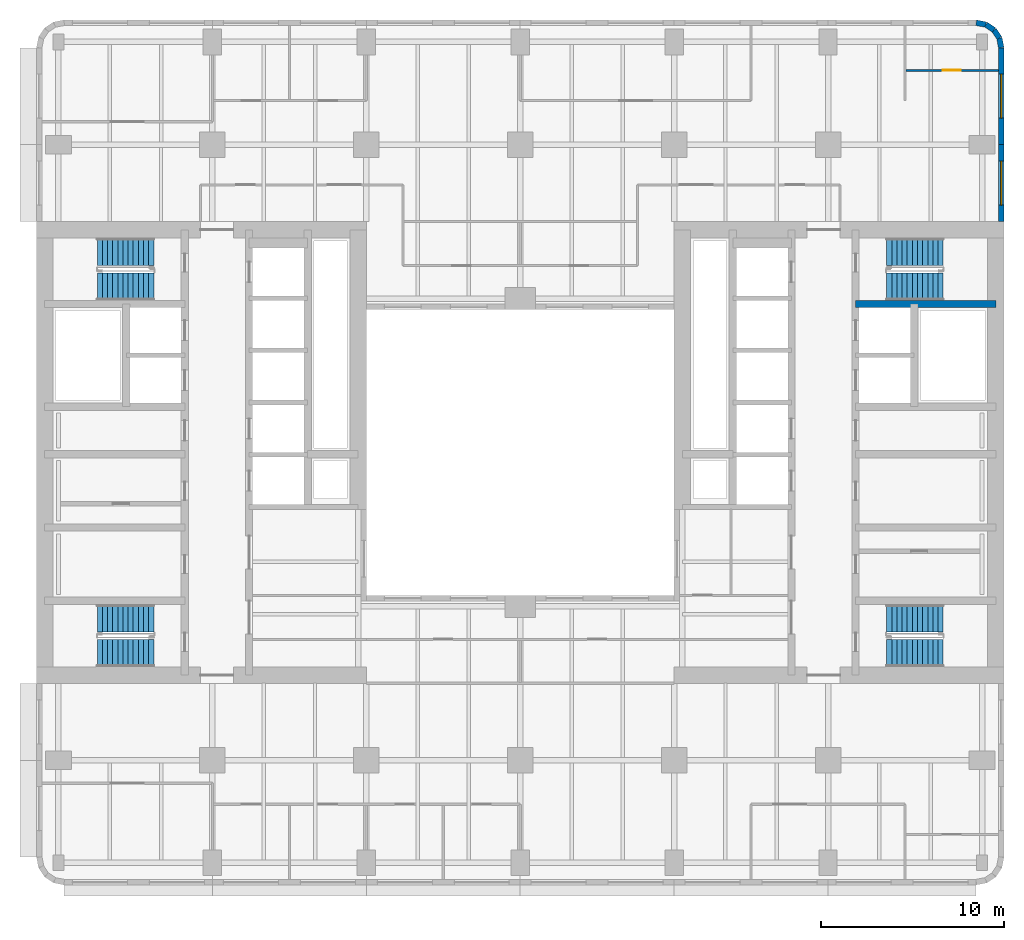
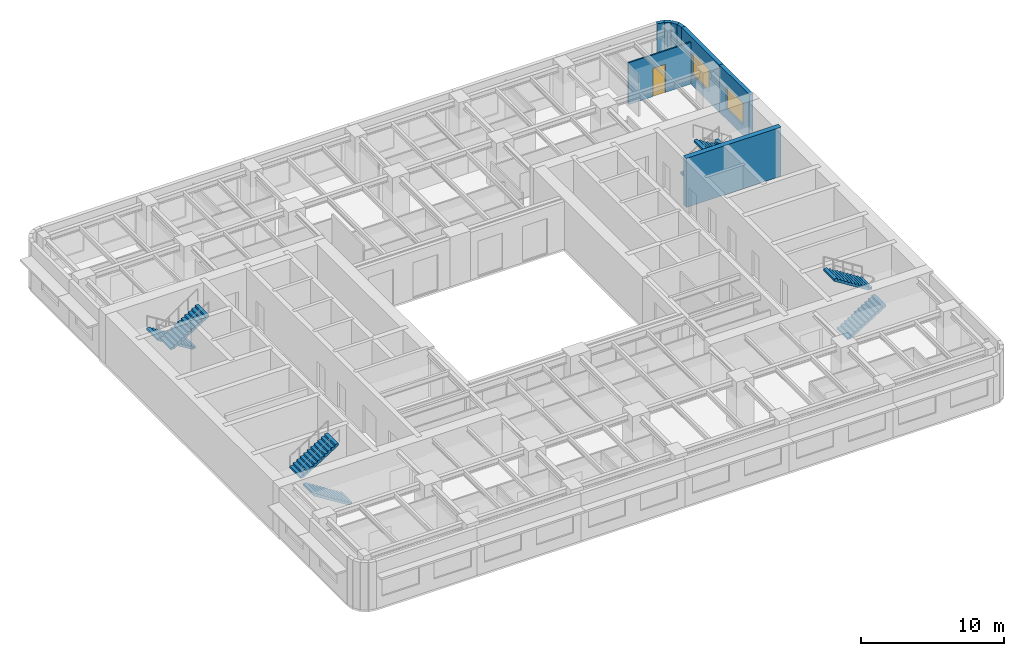
# One storey, part 8 of 11: 8 stair flights, 8 walls, 2 windows, 1 door, 3 openings, 4 elements without a shape of their own.
"""IFC4 building model written with IfcOpenShell, lengths in metres."""

from ifc_helpers import new_model, si_unit, direction, frame, frame_2d, origin, place, context, subcontext, project, spatial, polyline, rectangle, outline, extrude, material, layer, layer_set, type_object, element, fill, aggregate, save


model = new_model("IFC4")

# Units and contexts
model_context = context("Model", 3, precision=1e-05, world=origin(), true_north=direction((0.0, 1.0)))
body_context = subcontext(model_context, "Body", "Model", "MODEL_VIEW")
ifc_project = project(units=[si_unit("LENGTHUNIT", "METRE"), si_unit("AREAUNIT", "SQUARE_METRE"), si_unit("VOLUMEUNIT", "CUBIC_METRE"), si_unit("PLANEANGLEUNIT", "RADIAN"), si_unit("MASSUNIT", "GRAM", prefix="KILO")], contexts=[model_context])

# Site, building, storey
site_placement = place(None, origin())
site = spatial("IfcSite", under=ifc_project, at=site_placement, CompositionType="ELEMENT")
building_placement = place(site_placement, origin())
building = spatial("IfcBuilding", under=site, at=building_placement, Name="Claustro Exchange Tower", CompositionType="ELEMENT")
storey_placement = place(building_placement, frame((0.0, 0.0, 113.39990234375)))
storey = spatial("IfcBuildingStorey", under=building, at=storey_placement, Name="L25", CompositionType="ELEMENT", Elevation=113.39990234375)

# Wall, opening, door
ifc_material_1 = material(Name="Laminated glass in aluminium frame", Category="aluminium")
ifc_layer_1 = layer(ifc_material_1, 0.1201171875)
ifc_layer_set_1 = layer_set([ifc_layer_1], Name="Laminated glass in aluminium frame")
wall_type_1 = type_object("IfcWallType", Name="P2 120 glazed partition", PredefinedType="PARTITIONING", material=ifc_layer_set_1)
wall_1_placement = place(storey_placement, frame((46.258056640625, 46.050048828125, 0.0), z_axis=(0.0, 0.0, 1.0), x_axis=(1.0, 0.0, 0.0)))
wall_1 = element("IfcWall", 1, at=wall_1_placement, inside=storey, type_object=wall_type_1, Name="Partition P2 L25", PredefinedType="PARTITIONING", context=body_context, shape_type="SweptSolid", body=[
    extrude(rectangle(XDim=5.0439453125, YDim=0.1201171875, at=frame_2d((2.52197265625, 0.0))), origin(), (0.0, 0.0, 1.0), 3.56005859375),
])
opening_1_placement = place(wall_1_placement, frame((1.991943359375, 0.0, 0.0)))
opening_1 = element("IfcOpeningElement", 2, at=opening_1_placement, cuts=wall_1, Name="Opening D7", PredefinedType="OPENING", context=body_context, shape_type="SweptSolid", body=[
    extrude(rectangle(XDim=1.0, YDim=2.39990234375, at=frame_2d((0.5, 1.199951171875))), frame((0.0, 0.070068359375, 0.0), z_axis=(0.0, -1.0, 0.0), x_axis=(1.0, 0.0, 0.0)), (0.0, 0.0, 1.0), 0.14013671875),
])
ifc_material_2 = material(Name="Glass door in aluminium frame", Category="aluminium")
door_type = type_object("IfcDoorType", Name="D7 1000 x 2400 glazed door", OperationType="SINGLE_SWING_LEFT", PredefinedType="DOOR", material=ifc_material_2)
door_placement = place(opening_1_placement, origin())
door = element("IfcDoor", 3, at=door_placement, inside=storey, type_object=door_type, Name="Door D7 L25", OperationType="SINGLE_SWING_LEFT", OverallHeight=2.39990234375, OverallWidth=1.0, PredefinedType="DOOR", context=body_context, shape_type="SweptSolid", body=[
    extrude(rectangle(XDim=1.0, YDim=2.39990234375, at=frame_2d((0.5, 1.199951171875))), frame((0.0, 0.02490234375, 0.0), z_axis=(0.0, -1.0, 0.0), x_axis=(1.0, 0.0, 0.0)), (0.0, 0.0, 1.0), 0.050048828125),
])
fill(opening_1, door)

# Walls
ifc_material_3 = material(Name="Concrete HA-40 (C40/50), precast, white cement, acid-etched", Category="concrete")
ifc_layer_2 = layer(ifc_material_3, 0.300048828125)
ifc_layer_set_2 = layer_set([ifc_layer_2], Name="Concrete HA-40 (C40/50), precast, white cement, acid-etched")
wall_type_2 = type_object("IfcWallType", Name="PC1 300 precast concrete pier panel", PredefinedType="SOLIDWALL", material=ifc_layer_set_2)
wall_2_placement = place(storey_placement, frame((50.085205078125, 48.64990234375, 0.0), z_axis=(0.0, 0.0, 1.0), x_axis=(0.980788534345, -0.195073962632, 0.0)))
element("IfcWall", 4, at=wall_2_placement, inside=storey, type_object=wall_type_2, Name="Precast pier panel PC1 L25", PredefinedType="SOLIDWALL", context=body_context, shape_type="SweptSolid", body=[
    extrude(rectangle(XDim=0.540771484375, YDim=0.300048828125, at=frame_2d((0.2705078125, 0.0))), origin(), (0.0, 0.0, 1.0), 4.050048828125),
])
wall_3_placement = place(storey_placement, frame((50.615478515625, 48.54443359375, 0.0), z_axis=(0.0, 0.0, 1.0), x_axis=(0.831692711774, -0.555236195849, 0.0)))
element("IfcWall", 5, at=wall_3_placement, inside=storey, type_object=wall_type_2, Name="Precast pier panel PC1 L25", PredefinedType="SOLIDWALL", context=body_context, shape_type="SweptSolid", body=[
    extrude(rectangle(XDim=0.525390625, YDim=0.300048828125, at=frame_2d((0.2626953125, 0.0))), origin(), (0.0, 0.0, 1.0), 4.050048828125),
])
wall_4_placement = place(storey_placement, frame((51.052490234375, 48.252685546875, 0.0), z_axis=(0.0, 0.0, 1.0), x_axis=(0.55534295404, -0.831621430339, 0.0)))
element("IfcWall", 6, at=wall_4_placement, inside=storey, type_object=wall_type_2, Name="Precast pier panel PC1 L25", PredefinedType="SOLIDWALL", context=body_context, shape_type="SweptSolid", body=[
    extrude(rectangle(XDim=0.52587890625, YDim=0.300048828125, at=frame_2d((0.262939453125, 0.0))), origin(), (0.0, 0.0, 1.0), 4.050048828125),
])
wall_5_placement = place(storey_placement, frame((51.344482421875, 47.8154296875, 0.0), z_axis=(0.0, 0.0, 1.0), x_axis=(0.195073962632, -0.980788534345, 0.0)))
element("IfcWall", 7, at=wall_5_placement, inside=storey, type_object=wall_type_2, Name="Precast pier panel PC1 L25", PredefinedType="SOLIDWALL", context=body_context, shape_type="SweptSolid", body=[
    extrude(rectangle(XDim=0.540771484375, YDim=0.300048828125, at=frame_2d((0.2705078125, 0.0))), origin(), (0.0, 0.0, 1.0), 4.050048828125),
])

# Wall, opening, window
wall_6_placement = place(storey_placement, frame((51.449951171875, 47.28515625, 0.0), z_axis=(0.0, 0.0, 1.0), x_axis=(0.0, -1.0, 0.0)))
wall_6 = element("IfcWall", 8, at=wall_6_placement, inside=storey, type_object=wall_type_2, Name="Precast pier panel PC1 L25", PredefinedType="SOLIDWALL", context=body_context, shape_type="SweptSolid", body=[
    extrude(rectangle(XDim=5.28515625, YDim=0.300048828125, at=frame_2d((2.642578125, 0.0))), origin(), (0.0, 0.0, 1.0), 4.050048828125),
])
opening_2_placement = place(wall_6_placement, frame((1.442626953125, 0.0, 0.89990234375)))
opening_2 = element("IfcOpeningElement", 9, at=opening_2_placement, cuts=wall_6, Name="Opening W2", PredefinedType="OPENING", context=body_context, shape_type="SweptSolid", body=[
    extrude(rectangle(XDim=2.39990234375, YDim=1.89990234375, at=frame_2d((1.199951171875, 0.949951171875))), frame((0.0, 0.159912109375, 0.0), z_axis=(0.0, -1.0, 0.0), x_axis=(1.0, 0.0, 0.0)), (0.0, 0.0, 1.0), 0.320068359375),
])
ifc_material_4 = material(Name="Aluminium frame, clear double glazing", Category="aluminium")
window_type = type_object("IfcWindowType", Name="W2 2400 x 1900 window", PartitioningType="SINGLE_PANEL", PredefinedType="WINDOW", material=ifc_material_4)
window_1_placement = place(opening_2_placement, origin())
window_1 = element("IfcWindow", 10, at=window_1_placement, inside=storey, type_object=window_type, Name="Window W2 L25", OverallHeight=1.89990234375, OverallWidth=2.39990234375, PartitioningType="SINGLE_PANEL", PredefinedType="WINDOW", context=body_context, shape_type="SweptSolid", body=[
    extrude(rectangle(XDim=2.39990234375, YDim=1.89990234375, at=frame_2d((1.199951171875, 0.949951171875))), frame((0.0, 0.030029296875, 0.0), z_axis=(0.0, -1.0, 0.0), x_axis=(1.0, 0.0, 0.0)), (0.0, 0.0, 1.0), 0.06005859375),
])
fill(opening_2, window_1)

wall_7_placement = place(storey_placement, frame((51.449951171875, 42.0, 0.0), z_axis=(0.0, 0.0, 1.0), x_axis=(0.0, -1.0, 0.0)))
wall_7 = element("IfcWall", 11, at=wall_7_placement, inside=storey, type_object=wall_type_2, Name="Precast pier panel PC1 L25", PredefinedType="SOLIDWALL", context=body_context, shape_type="SweptSolid", body=[
    extrude(rectangle(XDim=4.199951171875, YDim=0.300048828125, at=frame_2d((2.10009765625, 0.0))), origin(), (0.0, 0.0, 1.0), 4.050048828125),
])
opening_3_placement = place(wall_7_placement, frame((0.89990234375, 0.0, 0.89990234375)))
opening_3 = element("IfcOpeningElement", 12, at=opening_3_placement, cuts=wall_7, Name="Opening W2", PredefinedType="OPENING", context=body_context, shape_type="SweptSolid", body=[
    extrude(rectangle(XDim=2.39990234375, YDim=1.89990234375, at=frame_2d((1.199951171875, 0.949951171875))), frame((0.0, 0.159912109375, 0.0), z_axis=(0.0, -1.0, 0.0), x_axis=(1.0, 0.0, 0.0)), (0.0, 0.0, 1.0), 0.320068359375),
])
window_2_placement = place(opening_3_placement, origin())
window_2 = element("IfcWindow", 13, at=window_2_placement, inside=storey, type_object=window_type, Name="Window W2 L25", OverallHeight=1.89990234375, OverallWidth=2.39990234375, PartitioningType="SINGLE_PANEL", PredefinedType="WINDOW", context=body_context, shape_type="SweptSolid", body=[
    extrude(rectangle(XDim=2.39990234375, YDim=1.89990234375, at=frame_2d((1.199951171875, 0.949951171875))), frame((0.0, 0.030029296875, 0.0), z_axis=(0.0, -1.0, 0.0), x_axis=(1.0, 0.0, 0.0)), (0.0, 0.0, 1.0), 0.06005859375),
])
fill(opening_3, window_2)

# Wall
ifc_material_5 = material(Name="Concrete HA-50 (C50/60)", Category="concrete")
ifc_layer_3 = layer(ifc_material_5, 0.39990234375)
ifc_layer_set_3 = layer_set([ifc_layer_3], Name="Concrete HA-50 (C50/60)")
wall_type_3 = type_object("IfcWallType", Name="SW4 400 internal core wall", PredefinedType="SHEAR", material=ifc_layer_set_3)
wall_8_placement = place(storey_placement, frame((51.14990234375, 33.300048828125, 0.0), z_axis=(0.0, 0.0, 1.0), x_axis=(-1.0, 0.0, 0.0)))
element("IfcWall", 14, at=wall_8_placement, inside=storey, type_object=wall_type_3, Name="Internal core wall SW4 E core L25", PredefinedType="SHEAR", context=body_context, shape_type="SweptSolid", body=[
    extrude(rectangle(XDim=7.64990234375, YDim=0.39990234375, at=frame_2d((3.824951171875, 0.0))), origin(), (0.0, 0.0, 1.0), 4.2001953125),
])

# Stair, stair flights
ifc_material_6 = material(Name="Concrete HA-30 (C30/37), precast", Category="concrete")
stair_type = type_object("IfcStairType", Name="ST1 half-turn stair, 24 risers of 175", PredefinedType="HALF_TURN_STAIR", material=ifc_material_6)
stair_1_placement = place(storey_placement, origin())
stair_1 = element("IfcStair", 15, at=stair_1_placement, inside=storey, type_object=stair_type, Name="Stair STWA L25", PredefinedType="HALF_TURN_STAIR")
ifc_material_7 = material(Name="Concrete HA-30 (C30/37), precast", Category="concrete")
stair_flight_type = type_object("IfcStairFlightType", Name="SF12A straight flight, 12 risers of 175, 1500 wide", PredefinedType="STRAIGHT", material=ifc_material_7)
stair_flight_1_placement = place(storey_placement, frame((5.199951171875, 14.25, 0.0), z_axis=(0.0, 0.0, 1.0), x_axis=(-1.0, 0.0, 0.0)))
stair_flight_1 = element("IfcStairFlight", 16, at=stair_flight_1_placement, type_object=stair_flight_type, Name="STWA flight 1", NumberOfRisers=12, NumberOfTreads=11, PredefinedType="STRAIGHT", RiserHeight=0.175, TreadLength=0.28, context=body_context, shape_type="SweptSolid", body=[
    extrude(outline(polyline([(0.0, 0.0), (0.0, 0.175048828125), (0.280029296875, 0.175048828125), (0.280029296875, 0.35009765625), (0.56005859375, 0.35009765625), (0.56005859375, 0.52490234375), (0.840087890625, 0.52490234375), (0.840087890625, 0.699951171875), (1.1201171875, 0.699951171875), (1.1201171875, 0.875), (1.39990234375, 0.875), (1.39990234375, 1.050048828125), (1.679931640625, 1.050048828125), (1.679931640625, 1.22509765625), (1.9599609375, 1.22509765625), (1.9599609375, 1.39990234375), (2.239990234375, 1.39990234375), (2.239990234375, 1.574951171875), (2.52001953125, 1.574951171875), (2.52001953125, 1.75), (2.800048828125, 1.75), (2.800048828125, 1.925048828125), (3.080078125, 1.925048828125), (3.080078125, 2.10009765625), (3.080078125, 1.748291015625), (0.28271484375, 0.0), (0.0, 0.0)])), frame((0.0, 0.75, 0.0), z_axis=(0.0, -1.0, 0.0), x_axis=(1.0, 0.0, 0.0)), (0.0, 0.0, 1.0), 1.5),
])
stair_flight_2_placement = place(storey_placement, frame((2.1201171875, 16.14990234375, 2.10009765625), z_axis=(0.0, 0.0, 1.0), x_axis=(1.0, 0.0, 0.0)))
stair_flight_2 = element("IfcStairFlight", 17, at=stair_flight_2_placement, type_object=stair_flight_type, Name="STWA flight 2", NumberOfRisers=12, NumberOfTreads=11, PredefinedType="STRAIGHT", RiserHeight=0.175, TreadLength=0.28, context=body_context, shape_type="SweptSolid", body=[
    extrude(outline(polyline([(0.0, 0.0), (0.0, 0.175048828125), (0.280029296875, 0.175048828125), (0.280029296875, 0.35009765625), (0.56005859375, 0.35009765625), (0.56005859375, 0.52490234375), (0.840087890625, 0.52490234375), (0.840087890625, 0.699951171875), (1.1201171875, 0.699951171875), (1.1201171875, 0.875), (1.39990234375, 0.875), (1.39990234375, 1.050048828125), (1.679931640625, 1.050048828125), (1.679931640625, 1.22509765625), (1.9599609375, 1.22509765625), (1.9599609375, 1.39990234375), (2.239990234375, 1.39990234375), (2.239990234375, 1.574951171875), (2.52001953125, 1.574951171875), (2.52001953125, 1.75), (2.800048828125, 1.75), (2.800048828125, 1.925048828125), (3.080078125, 1.925048828125), (3.080078125, 2.10009765625), (3.080078125, 1.748291015625), (0.28271484375, 0.0), (0.0, 0.0)])), frame((0.0, 0.75, 0.0), z_axis=(0.0, -1.0, 0.0), x_axis=(1.0, 0.0, 0.0)), (0.0, 0.0, 1.0), 1.5),
])
aggregate(stair_1, [stair_flight_1, stair_flight_2])

stair_2_placement = place(storey_placement, origin())
stair_2 = element("IfcStair", 18, at=stair_2_placement, inside=storey, type_object=stair_type, Name="Stair STWB L25", PredefinedType="HALF_TURN_STAIR")
stair_flight_3_placement = place(storey_placement, frame((5.199951171875, 36.14990234375, 0.0), z_axis=(0.0, 0.0, 1.0), x_axis=(-1.0, 0.0, 0.0)))
stair_flight_3 = element("IfcStairFlight", 19, at=stair_flight_3_placement, type_object=stair_flight_type, Name="STWB flight 1", NumberOfRisers=12, NumberOfTreads=11, PredefinedType="STRAIGHT", RiserHeight=0.175, TreadLength=0.28, context=body_context, shape_type="SweptSolid", body=[
    extrude(outline(polyline([(0.0, 0.0), (0.0, 0.175048828125), (0.280029296875, 0.175048828125), (0.280029296875, 0.35009765625), (0.56005859375, 0.35009765625), (0.56005859375, 0.52490234375), (0.840087890625, 0.52490234375), (0.840087890625, 0.699951171875), (1.1201171875, 0.699951171875), (1.1201171875, 0.875), (1.39990234375, 0.875), (1.39990234375, 1.050048828125), (1.679931640625, 1.050048828125), (1.679931640625, 1.22509765625), (1.9599609375, 1.22509765625), (1.9599609375, 1.39990234375), (2.239990234375, 1.39990234375), (2.239990234375, 1.574951171875), (2.52001953125, 1.574951171875), (2.52001953125, 1.75), (2.800048828125, 1.75), (2.800048828125, 1.925048828125), (3.080078125, 1.925048828125), (3.080078125, 2.10009765625), (3.080078125, 1.748291015625), (0.28271484375, 0.0), (0.0, 0.0)])), frame((0.0, 0.75, 0.0), z_axis=(0.0, -1.0, 0.0), x_axis=(1.0, 0.0, 0.0)), (0.0, 0.0, 1.0), 1.5),
])
stair_flight_4_placement = place(storey_placement, frame((2.1201171875, 34.25, 2.10009765625), z_axis=(0.0, 0.0, 1.0), x_axis=(1.0, 0.0, 0.0)))
stair_flight_4 = element("IfcStairFlight", 20, at=stair_flight_4_placement, type_object=stair_flight_type, Name="STWB flight 2", NumberOfRisers=12, NumberOfTreads=11, PredefinedType="STRAIGHT", RiserHeight=0.175, TreadLength=0.28, context=body_context, shape_type="SweptSolid", body=[
    extrude(outline(polyline([(0.0, 0.0), (0.0, 0.175048828125), (0.280029296875, 0.175048828125), (0.280029296875, 0.35009765625), (0.56005859375, 0.35009765625), (0.56005859375, 0.52490234375), (0.840087890625, 0.52490234375), (0.840087890625, 0.699951171875), (1.1201171875, 0.699951171875), (1.1201171875, 0.875), (1.39990234375, 0.875), (1.39990234375, 1.050048828125), (1.679931640625, 1.050048828125), (1.679931640625, 1.22509765625), (1.9599609375, 1.22509765625), (1.9599609375, 1.39990234375), (2.239990234375, 1.39990234375), (2.239990234375, 1.574951171875), (2.52001953125, 1.574951171875), (2.52001953125, 1.75), (2.800048828125, 1.75), (2.800048828125, 1.925048828125), (3.080078125, 1.925048828125), (3.080078125, 2.10009765625), (3.080078125, 1.748291015625), (0.28271484375, 0.0), (0.0, 0.0)])), frame((0.0, 0.75, 0.0), z_axis=(0.0, -1.0, 0.0), x_axis=(1.0, 0.0, 0.0)), (0.0, 0.0, 1.0), 1.5),
])
aggregate(stair_2, [stair_flight_3, stair_flight_4])

stair_3_placement = place(storey_placement, origin())
stair_3 = element("IfcStair", 21, at=stair_3_placement, inside=storey, type_object=stair_type, Name="Stair STEA L25", PredefinedType="HALF_TURN_STAIR")
stair_flight_5_placement = place(storey_placement, frame((45.199951171875, 14.25, 0.0), z_axis=(0.0, 0.0, 1.0), x_axis=(1.0, 0.0, 0.0)))
stair_flight_5 = element("IfcStairFlight", 22, at=stair_flight_5_placement, type_object=stair_flight_type, Name="STEA flight 1", NumberOfRisers=12, NumberOfTreads=11, PredefinedType="STRAIGHT", RiserHeight=0.175, TreadLength=0.28, context=body_context, shape_type="SweptSolid", body=[
    extrude(outline(polyline([(0.0, 0.0), (0.0, 0.175048828125), (0.280029296875, 0.175048828125), (0.280029296875, 0.35009765625), (0.56005859375, 0.35009765625), (0.56005859375, 0.52490234375), (0.840087890625, 0.52490234375), (0.840087890625, 0.699951171875), (1.1201171875, 0.699951171875), (1.1201171875, 0.875), (1.39990234375, 0.875), (1.39990234375, 1.050048828125), (1.679931640625, 1.050048828125), (1.679931640625, 1.22509765625), (1.9599609375, 1.22509765625), (1.9599609375, 1.39990234375), (2.239990234375, 1.39990234375), (2.239990234375, 1.574951171875), (2.52001953125, 1.574951171875), (2.52001953125, 1.75), (2.800048828125, 1.75), (2.800048828125, 1.925048828125), (3.080078125, 1.925048828125), (3.080078125, 2.10009765625), (3.080078125, 1.748291015625), (0.28271484375, 0.0), (0.0, 0.0)])), frame((0.0, 0.75, 0.0), z_axis=(0.0, -1.0, 0.0), x_axis=(1.0, 0.0, 0.0)), (0.0, 0.0, 1.0), 1.5),
])
stair_flight_6_placement = place(storey_placement, frame((48.280029296875, 16.14990234375, 2.10009765625), z_axis=(0.0, 0.0, 1.0), x_axis=(-1.0, 0.0, 0.0)))
stair_flight_6 = element("IfcStairFlight", 23, at=stair_flight_6_placement, type_object=stair_flight_type, Name="STEA flight 2", NumberOfRisers=12, NumberOfTreads=11, PredefinedType="STRAIGHT", RiserHeight=0.175, TreadLength=0.28, context=body_context, shape_type="SweptSolid", body=[
    extrude(outline(polyline([(0.0, 0.0), (0.0, 0.175048828125), (0.280029296875, 0.175048828125), (0.280029296875, 0.35009765625), (0.56005859375, 0.35009765625), (0.56005859375, 0.52490234375), (0.840087890625, 0.52490234375), (0.840087890625, 0.699951171875), (1.1201171875, 0.699951171875), (1.1201171875, 0.875), (1.39990234375, 0.875), (1.39990234375, 1.050048828125), (1.679931640625, 1.050048828125), (1.679931640625, 1.22509765625), (1.9599609375, 1.22509765625), (1.9599609375, 1.39990234375), (2.239990234375, 1.39990234375), (2.239990234375, 1.574951171875), (2.52001953125, 1.574951171875), (2.52001953125, 1.75), (2.800048828125, 1.75), (2.800048828125, 1.925048828125), (3.080078125, 1.925048828125), (3.080078125, 2.10009765625), (3.080078125, 1.748291015625), (0.28271484375, 0.0), (0.0, 0.0)])), frame((0.0, 0.75, 0.0), z_axis=(0.0, -1.0, 0.0), x_axis=(1.0, 0.0, 0.0)), (0.0, 0.0, 1.0), 1.5),
])
aggregate(stair_3, [stair_flight_5, stair_flight_6])

stair_4_placement = place(storey_placement, origin())
stair_4 = element("IfcStair", 24, at=stair_4_placement, inside=storey, type_object=stair_type, Name="Stair STEB L25", PredefinedType="HALF_TURN_STAIR")
stair_flight_7_placement = place(storey_placement, frame((45.199951171875, 36.14990234375, 0.0), z_axis=(0.0, 0.0, 1.0), x_axis=(1.0, 0.0, 0.0)))
stair_flight_7 = element("IfcStairFlight", 25, at=stair_flight_7_placement, type_object=stair_flight_type, Name="STEB flight 1", NumberOfRisers=12, NumberOfTreads=11, PredefinedType="STRAIGHT", RiserHeight=0.175, TreadLength=0.28, context=body_context, shape_type="SweptSolid", body=[
    extrude(outline(polyline([(0.0, 0.0), (0.0, 0.175048828125), (0.280029296875, 0.175048828125), (0.280029296875, 0.35009765625), (0.56005859375, 0.35009765625), (0.56005859375, 0.52490234375), (0.840087890625, 0.52490234375), (0.840087890625, 0.699951171875), (1.1201171875, 0.699951171875), (1.1201171875, 0.875), (1.39990234375, 0.875), (1.39990234375, 1.050048828125), (1.679931640625, 1.050048828125), (1.679931640625, 1.22509765625), (1.9599609375, 1.22509765625), (1.9599609375, 1.39990234375), (2.239990234375, 1.39990234375), (2.239990234375, 1.574951171875), (2.52001953125, 1.574951171875), (2.52001953125, 1.75), (2.800048828125, 1.75), (2.800048828125, 1.925048828125), (3.080078125, 1.925048828125), (3.080078125, 2.10009765625), (3.080078125, 1.748291015625), (0.28271484375, 0.0), (0.0, 0.0)])), frame((0.0, 0.75, 0.0), z_axis=(0.0, -1.0, 0.0), x_axis=(1.0, 0.0, 0.0)), (0.0, 0.0, 1.0), 1.5),
])
stair_flight_8_placement = place(storey_placement, frame((48.280029296875, 34.25, 2.10009765625), z_axis=(0.0, 0.0, 1.0), x_axis=(-1.0, 0.0, 0.0)))
stair_flight_8 = element("IfcStairFlight", 26, at=stair_flight_8_placement, type_object=stair_flight_type, Name="STEB flight 2", NumberOfRisers=12, NumberOfTreads=11, PredefinedType="STRAIGHT", RiserHeight=0.175, TreadLength=0.28, context=body_context, shape_type="SweptSolid", body=[
    extrude(outline(polyline([(0.0, 0.0), (0.0, 0.175048828125), (0.280029296875, 0.175048828125), (0.280029296875, 0.35009765625), (0.56005859375, 0.35009765625), (0.56005859375, 0.52490234375), (0.840087890625, 0.52490234375), (0.840087890625, 0.699951171875), (1.1201171875, 0.699951171875), (1.1201171875, 0.875), (1.39990234375, 0.875), (1.39990234375, 1.050048828125), (1.679931640625, 1.050048828125), (1.679931640625, 1.22509765625), (1.9599609375, 1.22509765625), (1.9599609375, 1.39990234375), (2.239990234375, 1.39990234375), (2.239990234375, 1.574951171875), (2.52001953125, 1.574951171875), (2.52001953125, 1.75), (2.800048828125, 1.75), (2.800048828125, 1.925048828125), (3.080078125, 1.925048828125), (3.080078125, 2.10009765625), (3.080078125, 1.748291015625), (0.28271484375, 0.0), (0.0, 0.0)])), frame((0.0, 0.75, 0.0), z_axis=(0.0, -1.0, 0.0), x_axis=(1.0, 0.0, 0.0)), (0.0, 0.0, 1.0), 1.5),
])
aggregate(stair_4, [stair_flight_7, stair_flight_8])

save(model, "model.ifc")
